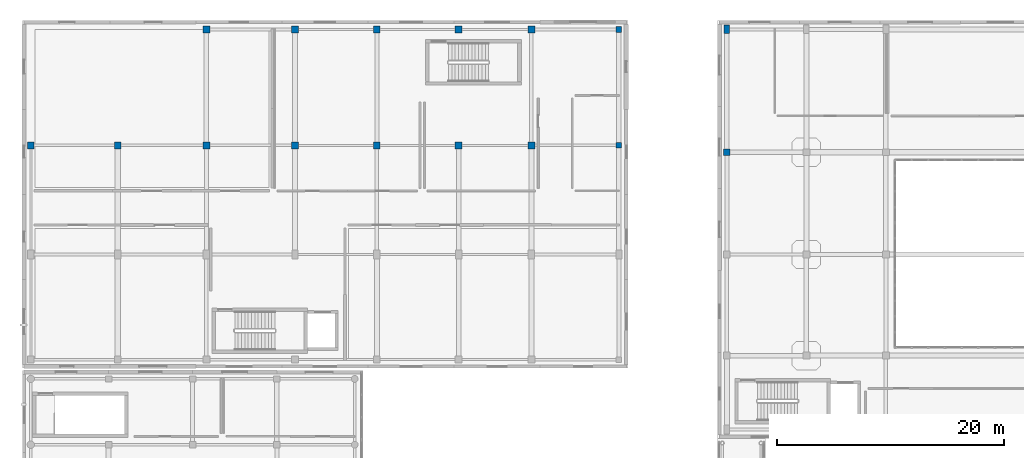
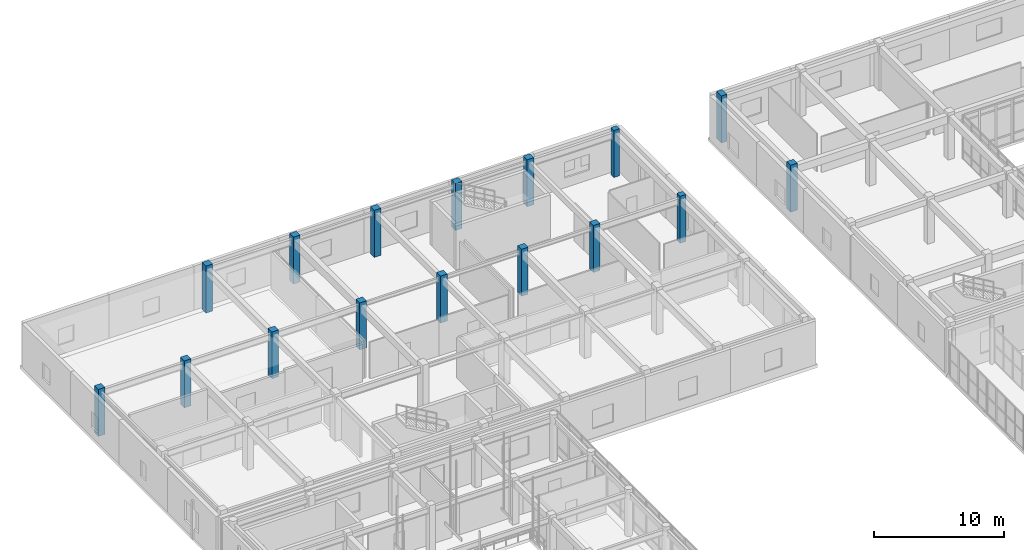
# One storey, part 11 of 142: 16 columns.
"""IFC4 building model written with IfcOpenShell, lengths in metres."""

from ifc_helpers import new_model, si_unit, direction, frame, origin, origin_2d, place, context, subcontext, project, spatial, rectangle, extrude, material, material_profile, profile_set, type_object, element, save


model = new_model("IFC4")

# Units and contexts
model_context = context("Model", 3, precision=1e-05, world=origin(), true_north=direction((0.0, 1.0)))
body_context = subcontext(model_context, "Body", "Model", "MODEL_VIEW")
ifc_project = project(units=[si_unit("LENGTHUNIT", "METRE"), si_unit("AREAUNIT", "SQUARE_METRE"), si_unit("VOLUMEUNIT", "CUBIC_METRE"), si_unit("PLANEANGLEUNIT", "RADIAN"), si_unit("MASSUNIT", "GRAM", prefix="KILO")], contexts=[model_context])

# Site, building, storey
site_placement = place(None, origin())
site = spatial("IfcSite", under=ifc_project, at=site_placement, CompositionType="ELEMENT")
building_placement = place(site_placement, origin())
building = spatial("IfcBuilding", under=site, at=building_placement, Name="Valcora Specialist Clinic", CompositionType="ELEMENT")
storey_placement = place(building_placement, frame((0.0, 0.0, 5.10009765625)))
storey = spatial("IfcBuildingStorey", under=building, at=storey_placement, Name="L01", CompositionType="ELEMENT", Elevation=5.10009765625)

# Columns
ifc_material = material(Name="Concrete C40/50", Category="concrete")
ifc_material_profile_1 = material_profile(ifc_material, rectangle(XDim=0.5, YDim=0.5, at=origin_2d()), Name="RC-COL-500X500")
ifc_profile_set_1 = profile_set([ifc_material_profile_1], Name="Concrete C40/50")
column_type_1 = type_object("IfcColumnType", Name="TY-COL-RC500", PredefinedType="COLUMN", material=ifc_profile_set_1)
for number, where, z_axis, x_axis, name in (
    (1, (52.5, 99.800048828125, 0.0), (0.0, 0.0, 1.0), (1.0, 0.0, 0.0), "Column COL-L01-0245"),
    (2, (52.5, 110.0, 0.0), (0.0, 0.0, 1.0), (1.0, 0.0, 0.0), "Column COL-L01-0248"),
):
    element("IfcColumn", number, at=place(storey_placement, frame(where, z_axis=z_axis, x_axis=x_axis)), inside=storey, type_object=column_type_1, Name=name, PredefinedType="COLUMN", context=body_context, shape_type="SweptSolid", body=[
        extrude(rectangle(XDim=0.5, YDim=0.5, at=origin_2d()), origin(), (0.0, 0.0, 1.0), 4.419921875),
    ])
ifc_material_profile_2 = material_profile(ifc_material, rectangle(XDim=0.5, YDim=0.75, at=origin_2d()), Name="RC-COL-500X750")
ifc_profile_set_2 = profile_set([ifc_material_profile_2], Name="Concrete C40/50")
column_type_2 = type_object("IfcColumnType", Name="TY-COL-RC500X750", PredefinedType="COLUMN", material=ifc_profile_set_2)
column_placement = place(storey_placement, frame((62.0, 110.0, 0.0), z_axis=(0.0, 0.0, 1.0), x_axis=(1.0, 0.0, 0.0)))
element("IfcColumn", 3, at=column_placement, inside=storey, type_object=column_type_2, Name="Column COL-L01-0323", PredefinedType="COLUMN", context=body_context, shape_type="SweptSolid", body=[
    extrude(rectangle(XDim=0.5, YDim=0.75, at=origin_2d()), origin(), (0.0, 0.0, 1.0), 4.419921875),
])
ifc_material_profile_3 = material_profile(ifc_material, rectangle(XDim=0.60009765625, YDim=0.60009765625, at=origin_2d()), Name="RC-COL-600X600")
ifc_profile_set_3 = profile_set([ifc_material_profile_3], Name="Concrete C40/50")
column_type_3 = type_object("IfcColumnType", Name="TY-COL-RC600", PredefinedType="COLUMN", material=ifc_profile_set_3)
for number, where, z_axis, x_axis, name in (
    (4, (0.75, 99.800048828125, 0.0), (0.0, 0.0, 1.0), (1.0, 0.0, 0.0), "Column COL-L01-0143"),
    (5, (8.39990234375, 99.800048828125, 0.0), (0.0, 0.0, 1.0), (1.0, 0.0, 0.0), "Column COL-L01-0155"),
    (6, (16.199951171875, 99.800048828125, 0.0), (0.0, 0.0, 1.0), (1.0, 0.0, 0.0), "Column COL-L01-0167"),
    (7, (16.199951171875, 110.0, 0.0), (0.0, 0.0, 1.0), (1.0, 0.0, 0.0), "Column COL-L01-0171"),
    (8, (24.0, 99.800048828125, 0.0), (0.0, 0.0, 1.0), (1.0, 0.0, 0.0), "Column COL-L01-0183"),
    (9, (24.0, 110.0, 0.0), (0.0, 0.0, 1.0), (1.0, 0.0, 0.0), "Column COL-L01-0187"),
    (10, (31.199951171875, 99.800048828125, 0.0), (0.0, 0.0, 1.0), (1.0, 0.0, 0.0), "Column COL-L01-0199"),
    (11, (31.199951171875, 110.0, 0.0), (0.0, 0.0, 1.0), (1.0, 0.0, 0.0), "Column COL-L01-0203"),
    (12, (38.39990234375, 99.800048828125, 0.0), (0.0, 0.0, 1.0), (1.0, 0.0, 0.0), "Column COL-L01-0215"),
    (13, (38.39990234375, 110.0, 0.0), (0.0, 0.0, 1.0), (1.0, 0.0, 0.0), "Column COL-L01-0219"),
    (14, (44.800048828125, 99.800048828125, 0.0), (0.0, 0.0, 1.0), (1.0, 0.0, 0.0), "Column COL-L01-0231"),
    (15, (44.800048828125, 110.0, 0.0), (0.0, 0.0, 1.0), (1.0, 0.0, 0.0), "Column COL-L01-0235"),
    (16, (62.0, 99.199951171875, 0.0), (0.0, 0.0, 1.0), (1.0, 0.0, 0.0), "Column COL-L01-0318"),
):
    element("IfcColumn", number, at=place(storey_placement, frame(where, z_axis=z_axis, x_axis=x_axis)), inside=storey, type_object=column_type_3, Name=name, PredefinedType="COLUMN", context=body_context, shape_type="SweptSolid", body=[
        extrude(rectangle(XDim=0.60009765625, YDim=0.60009765625, at=origin_2d()), origin(), (0.0, 0.0, 1.0), 4.419921875),
    ])

save(model, "model.ifc")
